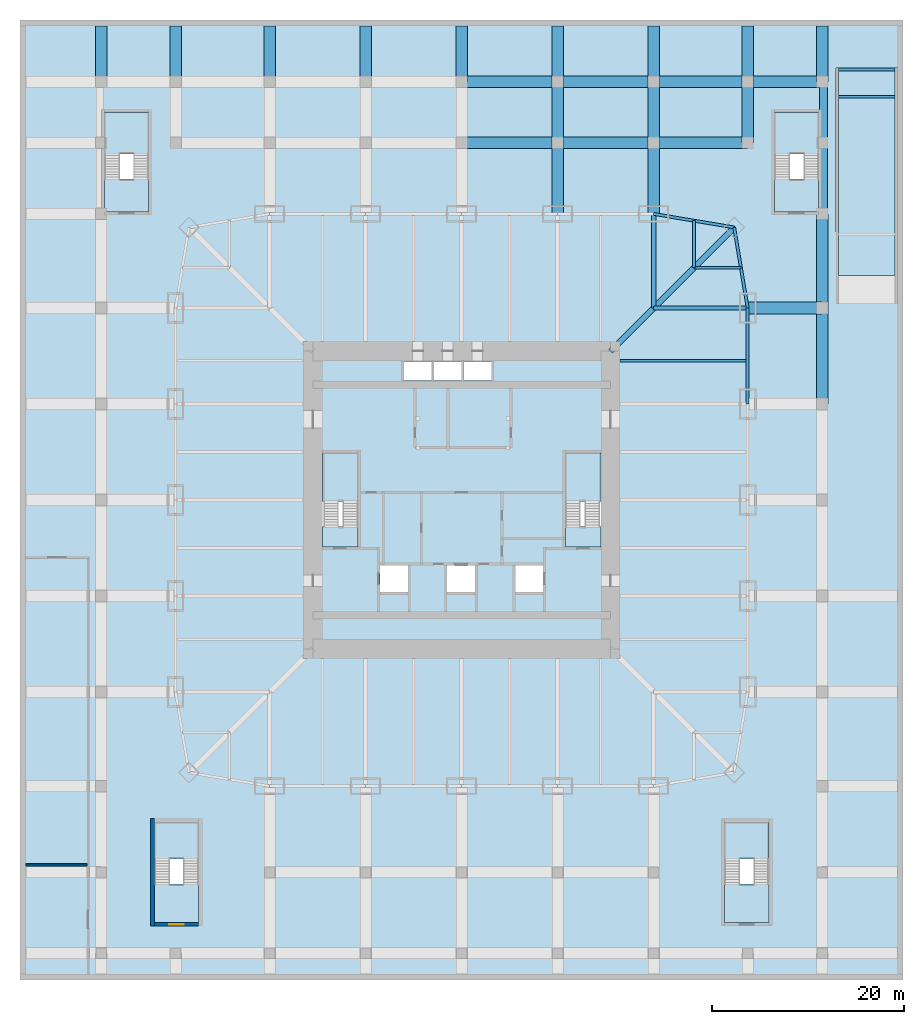
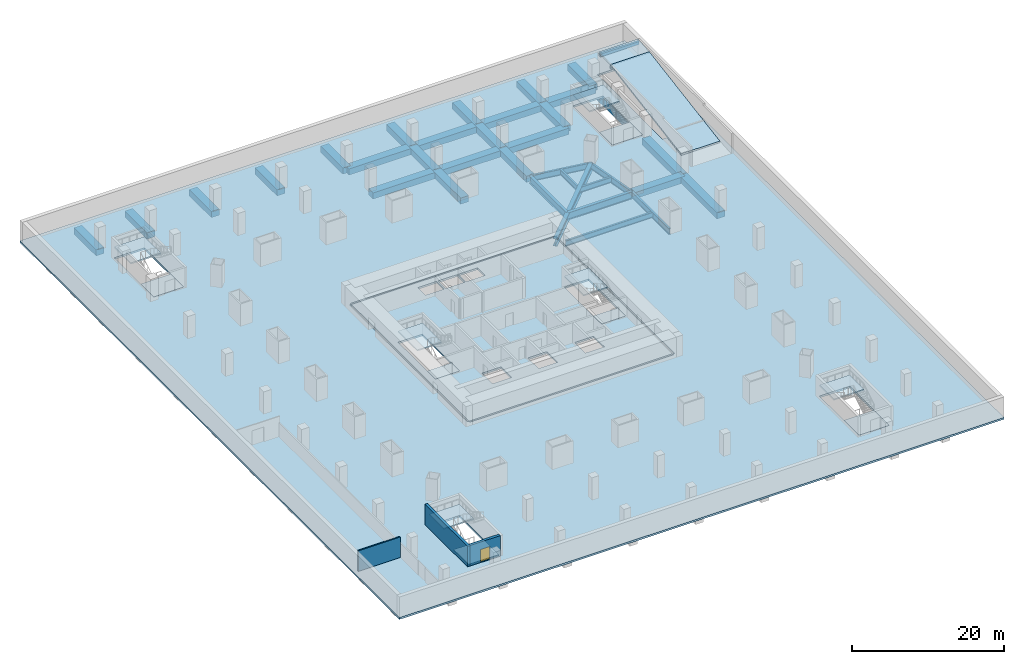
# One storey, part 3 of 11: 37 beams, 16 slabs, 3 walls, 1 door, 1 opening, 7 elements without a shape of their own.
"""IFC4 building model written with IfcOpenShell, lengths in metres."""

import ifcopenshell
import ifcopenshell.guid

model = None  # the IFC model being written
_history = None  # IfcOwnerHistory: only IFC2X3 demands one
_inside = {}  # id of a spatial element -> (the spatial element, [elements in it])
_under = {}  # id of a project, library or spatial element -> (it, [spatial elements below it])
_declared = {}  # id of a project -> (the project, [libraries it declares])
_typed = {}  # id of a type object -> (the type object, [elements of that type])
_made_of = {}  # id of a material, layer set ... -> (it, [elements and type objects made of it])


def new_model(schema):
    """Start an empty IFC model of exactly this schema.

    Asked for "IFC4X3", IfcOpenShell would pick the latest addendum, in which some entities
    have other attributes; the version numbers below select the first issue.
    IFC2X3 requires an IfcOwnerHistory on every rooted entity: one is made here for all.
    """
    global model, _history
    if schema == "IFC4X3":
        model = ifcopenshell.file(schema_version=(4, 3, 0, 0))
    else:
        model = ifcopenshell.file(schema=schema)
    _inside.clear()
    _under.clear()
    _declared.clear()
    _typed.clear()
    _made_of.clear()
    _history = None
    if model.schema == "IFC2X3":
        org = make("IfcOrganization", Name="unknown")
        user = make(
            "IfcPersonAndOrganization",
            ThePerson=make("IfcPerson", FamilyName="unknown"),
            TheOrganization=org,
        )
        app = make(
            "IfcApplication",
            ApplicationDeveloper=org,
            Version="unknown",
            ApplicationFullName="unknown",
            ApplicationIdentifier="unknown",
        )
        _history = make(
            "IfcOwnerHistory",
            OwningUser=user,
            OwningApplication=app,
            ChangeAction="ADDED",
            CreationDate=0,
        )
    return model


def make(cls, **values):
    """One entity of the class cls with the attributes given. An attribute that is None is left unset."""
    return model.create_entity(
        cls, **{name: value for name, value in values.items() if value is not None}
    )


def rooted(cls, **values):
    """An entity with a GlobalId (a new one), such as an element, a storey or a relation."""
    return make(cls, GlobalId=ifcopenshell.guid.new(), OwnerHistory=_history, **values)


def si_unit(unit_type, name, prefix=None):
    """IfcSIUnit, for example si_unit("LENGTHUNIT", "METRE", prefix="MILLI")."""
    return make("IfcSIUnit", UnitType=unit_type, Prefix=prefix, Name=name)


def assignment(units):
    """IfcUnitAssignment: the units of a project."""
    return None if units is None else make("IfcUnitAssignment", Units=units)


def point(xyz):
    """IfcCartesianPoint."""
    return None if xyz is None else make("IfcCartesianPoint", Coordinates=xyz)


def direction(xyz):
    """IfcDirection."""
    return None if xyz is None else make("IfcDirection", DirectionRatios=xyz)


def frame(location, z_axis=None, x_axis=None):
    """IfcAxis2Placement3D, a coordinate frame: its origin and axes. An axis left out is left unset."""
    return make(
        "IfcAxis2Placement3D",
        Location=point(location),
        Axis=direction(z_axis),
        RefDirection=direction(x_axis),
    )


def frame_2d(location, x_axis=None):
    """IfcAxis2Placement2D, a coordinate frame in the plane: its origin and x axis."""
    return make(
        "IfcAxis2Placement2D", Location=point(location), RefDirection=direction(x_axis)
    )


def origin():
    """The frame at (0, 0, 0) with its axes left unset."""
    return frame((0.0, 0.0, 0.0))


def origin_2d():
    """The frame at (0, 0) in the plane with its x axis left unset."""
    return frame_2d((0.0, 0.0))


def place(relative_to, where):
    """IfcLocalPlacement: puts the frame where relative to a parent placement (None: the world)."""
    return make(
        "IfcLocalPlacement", PlacementRelTo=relative_to, RelativePlacement=where
    )


def context(
    kind, dimensions, precision=None, world=None, true_north=None, identifier=None
):
    """IfcGeometricRepresentationContext, for example the 3D "Model" context."""
    return make(
        "IfcGeometricRepresentationContext",
        ContextIdentifier=identifier,
        ContextType=kind,
        CoordinateSpaceDimension=dimensions,
        Precision=precision,
        WorldCoordinateSystem=world,
        TrueNorth=true_north,
    )


def subcontext(parent, identifier, kind, view, scale=None):
    """IfcGeometricRepresentationSubContext, for example "Body" below "Model"."""
    return make(
        "IfcGeometricRepresentationSubContext",
        ContextIdentifier=identifier,
        ContextType=kind,
        ParentContext=parent,
        TargetScale=scale,
        TargetView=view,
    )


def project(units=None, contexts=None):
    """IfcProject with its units and contexts."""
    return rooted(
        "IfcProject",
        Name="project",
        RepresentationContexts=contexts,
        UnitsInContext=assignment(units),
    )


def spatial(cls, under=None, at=None, **own):
    """A site, building, storey or space (cls), placed at a placement, below another one or the project."""
    s = rooted(cls, ObjectPlacement=at, **own)
    if under is not None:
        _under.setdefault(under.id(), (under, []))[1].append(s)
    return s


def polyline(points):
    """IfcPolyline through the points."""
    return make("IfcPolyline", Points=[point(p) for p in points])


def profile(cls, at=None, kind="AREA", **sizes):
    """A parametric profile (cls). Its sizes go by their IFC names, for example OverallWidth=200.0."""
    return make(cls, ProfileType=kind, Position=at, **sizes)


def rectangle(**sizes):
    """IfcRectangleProfileDef."""
    return profile("IfcRectangleProfileDef", **sizes)


def i_section(**sizes):
    """IfcIShapeProfileDef."""
    return profile("IfcIShapeProfileDef", **sizes)


def outline(outer, holes=None, kind="AREA"):
    """IfcArbitraryClosedProfileDef: a profile drawn as a closed curve; with holes, ...WithVoids."""
    if holes is None:
        return make("IfcArbitraryClosedProfileDef", ProfileType=kind, OuterCurve=outer)
    return make(
        "IfcArbitraryProfileDefWithVoids",
        ProfileType=kind,
        OuterCurve=outer,
        InnerCurves=holes,
    )


def extrude(swept, where, along, depth):
    """IfcExtrudedAreaSolid: the profile swept, set in the frame where, extruded along a direction by depth."""
    return make(
        "IfcExtrudedAreaSolid",
        SweptArea=swept,
        Position=where,
        ExtrudedDirection=direction(along),
        Depth=depth,
    )


def shape(context_of_items, identifier, shape_type, items):
    """IfcShapeRepresentation: the items that make up one representation, for example the "Body"."""
    return make(
        "IfcShapeRepresentation",
        ContextOfItems=context_of_items,
        RepresentationIdentifier=identifier,
        RepresentationType=shape_type,
        Items=items,
    )


def material(Name=None, Category=None):
    """IfcMaterial."""
    return make("IfcMaterial", Name=Name, Category=Category)


def layer(
    of_material, thickness, ventilated=None, Name=None, Category=None, Priority=None
):
    """IfcMaterialLayer: one layer of a wall or slab, of a material (None: an air gap)."""
    return make(
        "IfcMaterialLayer",
        Material=of_material,
        LayerThickness=thickness,
        IsVentilated=ventilated,
        Name=Name,
        Category=Category,
        Priority=Priority,
    )


def layer_set(layers, Name=None):
    """IfcMaterialLayerSet."""
    return make("IfcMaterialLayerSet", MaterialLayers=layers, LayerSetName=Name)


def material_profile(
    of_material, cross_section, Name=None, Category=None, Priority=None
):
    """IfcMaterialProfile: a cross section and its material."""
    return make(
        "IfcMaterialProfile",
        Name=Name,
        Material=of_material,
        Profile=cross_section,
        Priority=Priority,
        Category=Category,
    )


def profile_set(profiles, Name=None, composite=None):
    """IfcMaterialProfileSet."""
    return make(
        "IfcMaterialProfileSet",
        Name=Name,
        MaterialProfiles=profiles,
        CompositeProfile=composite,
    )


def made_of(thing, what):
    """Note that an element or type object is made of a material, layer set ...; save() writes the relation."""
    if what is not None:
        _made_of.setdefault(what.id(), (what, []))[1].append(thing)
    return thing


def type_object(cls, material=None, **own):
    """A type object (cls), such as IfcWallType, which elements share."""
    return made_of(rooted(cls, **own), material)


def element(
    cls,
    number,
    at=None,
    inside=None,
    cuts=None,
    type_object=None,
    material=None,
    context=None,
    identifier="Body",
    shape_type=None,
    held_by="IfcProductDefinitionShape",
    body=None,
    shapes=None,
    **own,
):
    """One element of the class cls, such as IfcWall. Its Tag is "e" and its number.

    at: its placement. inside: the storey or other place that contains it. cuts: it is an
    opening in that element (IfcRelVoidsElement). A single representation is given by context,
    identifier, shape_type and body (its items); several are given by shapes. held_by: the class
    of the entity that holds the representations. save() writes the other relations.
    """
    e = rooted(cls, Tag="e%d" % number, ObjectPlacement=at, **own)
    if body is not None:
        shapes = [shape(context, identifier, shape_type, body)]
    if shapes is not None:
        e.Representation = make(held_by, Representations=shapes)
    if inside is not None:
        _inside.setdefault(inside.id(), (inside, []))[1].append(e)
    if cuts is not None:
        rooted(
            "IfcRelVoidsElement", RelatingBuildingElement=cuts, RelatedOpeningElement=e
        )
    if type_object is not None:
        _typed.setdefault(type_object.id(), (type_object, []))[1].append(e)
    return made_of(e, material)


def fill(opening, filler):
    """IfcRelFillsElement: the door or window that sits in an opening."""
    return rooted(
        "IfcRelFillsElement",
        RelatingOpeningElement=opening,
        RelatedBuildingElement=filler,
    )


def aggregate(whole, parts):
    """IfcRelAggregates: a whole, such as a stair, and the parts it consists of."""
    return rooted("IfcRelAggregates", RelatingObject=whole, RelatedObjects=parts)


def save(model, path):
    """Write the relations noted so far, then the file.

    IfcRelAggregates (storeys below a building ...), IfcRelContainedInSpatialStructure (elements
    in a storey), IfcRelDefinesByType, IfcRelAssociatesMaterial and IfcRelDeclares: one each for
    every whole, place, type object, material and project.
    """
    for whole, parts in _under.values():
        aggregate(whole, parts)
    for where, things in _inside.values():
        rooted(
            "IfcRelContainedInSpatialStructure",
            RelatedElements=things,
            RelatingStructure=where,
        )
    for kind, things in _typed.values():
        rooted("IfcRelDefinesByType", RelatedObjects=things, RelatingType=kind)
    for what, things in _made_of.values():
        rooted("IfcRelAssociatesMaterial", RelatedObjects=things, RelatingMaterial=what)
    for by, libraries in _declared.values():
        rooted("IfcRelDeclares", RelatingContext=by, RelatedDefinitions=libraries)
    model.write(path)


model = new_model("IFC4")

# Units and contexts
model_context = context("Model", 3, precision=1e-05, world=origin(), true_north=direction((0.0, 1.0)))
body_context = subcontext(model_context, "Body", "Model", "MODEL_VIEW")
ifc_project = project(units=[si_unit("LENGTHUNIT", "METRE"), si_unit("AREAUNIT", "SQUARE_METRE"), si_unit("VOLUMEUNIT", "CUBIC_METRE"), si_unit("PLANEANGLEUNIT", "RADIAN"), si_unit("MASSUNIT", "GRAM", prefix="KILO")], contexts=[model_context])

# Site, building, storey
site_placement = place(None, origin())
site = spatial("IfcSite", under=ifc_project, at=site_placement, CompositionType="ELEMENT")
building_placement = place(site_placement, origin())
building = spatial("IfcBuilding", under=site, at=building_placement, Name="Khuree Lantern Residences", CompositionType="ELEMENT")
storey_placement = place(building_placement, frame((0.0, 0.0, -9.0)))
storey = spatial("IfcBuildingStorey", under=building, at=storey_placement, Name="B2", CompositionType="ELEMENT", Elevation=-9.0)

# Beams
ifc_material_1 = material(Name="Steel S355", Category="steel")
ifc_material_profile_1 = material_profile(ifc_material_1, i_section(OverallWidth=0.300048828125, OverallDepth=0.89990234375, WebThickness=0.0185546875, FlangeThickness=0.034912109375, FilletRadius=0.030029296875, at=origin_2d()), Name="HE 900 B")
ifc_profile_set_1 = profile_set([ifc_material_profile_1], Name="Steel S355")
beam_type_1 = type_object("IfcBeamType", Name="B-B2 SECONDARY BEAM HE 900 B", PredefinedType="BEAM", material=ifc_profile_set_1)
for number, where, z_axis, x_axis, name in (
    (1, (24.197021484375, 29.09716796875, -0.75), (0.0, -1.0, 0.0), (1.0, 0.0, 0.0), "Secondary beam N5"),
    (2, (29.09716796875, 24.197021484375, -0.75), (-1.0, 0.0, 0.0), (0.0, -1.0, 0.0), "Secondary beam E1"),
):
    element("IfcBeam", number, at=place(storey_placement, frame(where, z_axis=z_axis, x_axis=x_axis)), inside=storey, type_object=beam_type_1, Name=name, PredefinedType="BEAM", context=body_context, shape_type="SweptSolid", body=[
        extrude(i_section(OverallWidth=0.300048828125, OverallDepth=0.89990234375, WebThickness=0.0185546875, FlangeThickness=0.034912109375, FilletRadius=0.030029296875, at=origin_2d()), origin(), (0.0, 0.0, 1.0), 4.900146484375),
    ])
beam_1_placement = place(storey_placement, frame((29.800048828125, 14.5, -0.75), z_axis=(-1.0, 0.0, 0.0), x_axis=(0.0, -1.0, 0.0)))
element("IfcBeam", 3, at=beam_1_placement, inside=storey, type_object=beam_type_1, Name="Secondary beam E2", PredefinedType="BEAM", context=body_context, shape_type="SweptSolid", body=[
    extrude(i_section(OverallWidth=0.300048828125, OverallDepth=0.89990234375, WebThickness=0.0185546875, FlangeThickness=0.034912109375, FilletRadius=0.030029296875, at=origin_2d()), origin(), (0.0, 0.0, 1.0), 13.300048828125),
])
ifc_material_profile_2 = material_profile(ifc_material_1, i_section(OverallWidth=0.300048828125, OverallDepth=1.0, WebThickness=0.01904296875, FlangeThickness=0.035888671875, FilletRadius=0.030029296875, at=origin_2d()), Name="HE 1000 B")
ifc_profile_set_2 = profile_set([ifc_material_profile_2], Name="Steel S355")
beam_type_2 = type_object("IfcBeamType", Name="E-B2 SPANDREL BEAM HE 1000 B", PredefinedType="SPANDREL", material=ifc_profile_set_2)
for number, where, z_axis, x_axis, name in (
    (4, (20.0, 29.800048828125, -0.800048828125), (0.986260251158, -0.165199022349, 0.0), (0.165199022349, 0.986260251158, 0.0), "Spandrel beam N5"),
    (5, (28.39404296875, 28.39404296875, -0.800048828125), (0.165199022349, -0.986260251158, 0.0), (0.986260251158, 0.165199022349, 0.0), "Spandrel beam E1"),
):
    element("IfcBeam", number, at=place(storey_placement, frame(where, z_axis=z_axis, x_axis=x_axis)), inside=storey, type_object=beam_type_2, Name=name, PredefinedType="SPANDREL", context=body_context, shape_type="SweptSolid", body=[
        extrude(i_section(OverallWidth=0.300048828125, OverallDepth=1.0, WebThickness=0.01904296875, FlangeThickness=0.035888671875, FilletRadius=0.030029296875, at=origin_2d()), origin(), (0.0, 0.0, 1.0), 8.510986328125),
    ])
beam_2_placement = place(storey_placement, frame((29.800048828125, 20.0, -0.800048828125), z_axis=(0.0, -1.0, 0.0), x_axis=(1.0, 0.0, 0.0)))
element("IfcBeam", 6, at=beam_2_placement, inside=storey, type_object=beam_type_2, Name="Spandrel beam E2", PredefinedType="SPANDREL", context=body_context, shape_type="SweptSolid", body=[
    extrude(i_section(OverallWidth=0.300048828125, OverallDepth=1.0, WebThickness=0.01904296875, FlangeThickness=0.035888671875, FilletRadius=0.030029296875, at=origin_2d()), origin(), (0.0, 0.0, 1.0), 10.0),
])
ifc_material_profile_3 = material_profile(ifc_material_1, i_section(OverallWidth=0.449951171875, OverallDepth=1.199951171875, WebThickness=0.02490234375, FlangeThickness=0.044921875, at=origin_2d()), Name="WELDED I 1200X450X25X45")
ifc_profile_set_3 = profile_set([ifc_material_profile_3], Name="Steel S355")
beam_type_3 = type_object("IfcBeamType", Name="G-B2 GIRDER WELDED I 1200X450X25X45", PredefinedType="BEAM", material=ifc_profile_set_3)
for number, where, z_axis, x_axis, name in (
    (7, (20.0, 29.800048828125, -0.89990234375), (0.0, -1.0, 0.0), (1.0, 0.0, 0.0), "Girder N5"),
    (8, (29.800048828125, 20.0, -0.89990234375), (-1.0, 0.0, 0.0), (0.0, -1.0, 0.0), "Girder E1"),
):
    element("IfcBeam", number, at=place(storey_placement, frame(where, z_axis=z_axis, x_axis=x_axis)), inside=storey, type_object=beam_type_3, Name=name, PredefinedType="BEAM", context=body_context, shape_type="SweptSolid", body=[
        extrude(i_section(OverallWidth=0.449951171875, OverallDepth=1.199951171875, WebThickness=0.02490234375, FlangeThickness=0.044921875, at=origin_2d()), origin(), (0.0, 0.0, 1.0), 9.800048828125),
    ])
ifc_material_profile_4 = material_profile(ifc_material_1, i_section(OverallWidth=0.60009765625, OverallDepth=1.199951171875, WebThickness=0.030029296875, FlangeThickness=0.06005859375, at=origin_2d()), Name="WELDED I 1200X600X30X60")
ifc_profile_set_4 = profile_set([ifc_material_profile_4], Name="Steel S355")
beam_type_4 = type_object("IfcBeamType", Name="GD-B2 CORNER GIRDER WELDED I 1200X600X30X60", PredefinedType="BEAM", material=ifc_profile_set_4)
beam_3_placement = place(storey_placement, frame((28.39404296875, 28.39404296875, -0.89990234375), z_axis=(-0.707106781187, -0.707106781187, 0.0), x_axis=(0.707106781187, -0.707106781187, 0.0)))
element("IfcBeam", 9, at=beam_3_placement, inside=storey, type_object=beam_type_4, Name="Corner girder NE", PredefinedType="BEAM", context=body_context, shape_type="SweptSolid", body=[
    extrude(i_section(OverallWidth=0.60009765625, OverallDepth=1.199951171875, WebThickness=0.030029296875, FlangeThickness=0.06005859375, at=origin_2d()), origin(), (0.0, 0.0, 1.0), 18.23486328125),
])
ifc_material_2 = material(Name="Concrete C40/50", Category="concrete")
ifc_material_profile_5 = material_profile(ifc_material_2, rectangle(XDim=0.300048828125, YDim=0.449951171875, at=origin_2d()), Name="RC 300X450")
ifc_profile_set_5 = profile_set([ifc_material_profile_5], Name="Concrete C40/50")
beam_type_5 = type_object("IfcBeamType", Name="RAMP BEAM RMB1 RC 300X450", PredefinedType="BEAM", material=ifc_profile_set_5)
for number, where, z_axis, x_axis, name in (
    (10, (39.25, 42.0, 2.875), (1.0, 0.0, 0.0), (0.0, 1.0, 0.0), "Car park ramp, B1 to B2 joint beam"),
    (11, (39.25, 44.85009765625, 3.125), (1.0, 0.0, 0.0), (0.0, 1.0, 0.0), "Car park ramp, B1 to B2 head beam"),
):
    element("IfcBeam", number, at=place(storey_placement, frame(where, z_axis=z_axis, x_axis=x_axis)), inside=storey, type_object=beam_type_5, Name=name, PredefinedType="BEAM", context=body_context, shape_type="SweptSolid", body=[
        extrude(rectangle(XDim=0.300048828125, YDim=0.449951171875, at=origin_2d()), origin(), (0.0, 0.0, 1.0), 5.89990234375),
    ])
ifc_material_profile_6 = material_profile(ifc_material_2, rectangle(XDim=1.199951171875, YDim=1.0, at=origin_2d()), Name="RC 1200X1000")
ifc_profile_set_6 = profile_set([ifc_material_profile_6], Name="Concrete C40/50")
beam_type_6 = type_object("IfcBeamType", Name="RB1 BASEMENT BEAM RC 1200X1000", PredefinedType="BEAM", material=ifc_profile_set_6)
beam_4_placement = place(storey_placement, frame((29.800048828125, 20.0, -0.800048828125), z_axis=(1.0, 0.0, 0.0), x_axis=(0.0, 1.0, 0.0)))
element("IfcBeam", 12, at=beam_4_placement, inside=storey, type_object=beam_type_6, Name="Basement beam RB-35", PredefinedType="BEAM", context=body_context, shape_type="SweptSolid", body=[
    extrude(rectangle(XDim=1.199951171875, YDim=1.0, at=origin_2d()), origin(), (0.0, 0.0, 1.0), 7.75),
])
for number, where, z_axis, x_axis, name in (
    (13, (0.0, 37.199951171875, -0.800048828125), (1.0, 0.0, 0.0), (0.0, 1.0, 0.0), "Basement beam RB-41"),
    (14, (10.0, 37.199951171875, -0.800048828125), (1.0, 0.0, 0.0), (0.0, 1.0, 0.0), "Basement beam RB-42"),
):
    element("IfcBeam", number, at=place(storey_placement, frame(where, z_axis=z_axis, x_axis=x_axis)), inside=storey, type_object=beam_type_6, Name=name, PredefinedType="BEAM", context=body_context, shape_type="SweptSolid", body=[
        extrude(rectangle(XDim=1.199951171875, YDim=1.0, at=origin_2d()), origin(), (0.0, 0.0, 1.0), 10.0),
    ])
beam_5_placement = place(storey_placement, frame((20.0, 37.199951171875, -0.800048828125), z_axis=(1.0, 0.0, 0.0), x_axis=(0.0, 1.0, 0.0)))
element("IfcBeam", 15, at=beam_5_placement, inside=storey, type_object=beam_type_6, Name="Basement beam RB-43", PredefinedType="BEAM", context=body_context, shape_type="SweptSolid", body=[
    extrude(rectangle(XDim=1.199951171875, YDim=1.0, at=origin_2d()), origin(), (0.0, 0.0, 1.0), 9.800048828125),
])
for number, where, z_axis, x_axis, name in (
    (16, (0.0, 43.550048828125, -0.800048828125), (1.0, 0.0, 0.0), (0.0, 1.0, 0.0), "Basement beam RB-49"),
    (17, (10.0, 43.550048828125, -0.800048828125), (1.0, 0.0, 0.0), (0.0, 1.0, 0.0), "Basement beam RB-50"),
):
    element("IfcBeam", number, at=place(storey_placement, frame(where, z_axis=z_axis, x_axis=x_axis)), inside=storey, type_object=beam_type_6, Name=name, PredefinedType="BEAM", context=body_context, shape_type="SweptSolid", body=[
        extrude(rectangle(XDim=1.199951171875, YDim=1.0, at=origin_2d()), origin(), (0.0, 0.0, 1.0), 10.0),
    ])
beam_6_placement = place(storey_placement, frame((20.0, 43.550048828125, -0.800048828125), z_axis=(1.0, 0.0, 0.0), x_axis=(0.0, 1.0, 0.0)))
element("IfcBeam", 18, at=beam_6_placement, inside=storey, type_object=beam_type_6, Name="Basement beam RB-51", PredefinedType="BEAM", context=body_context, shape_type="SweptSolid", body=[
    extrude(rectangle(XDim=1.199951171875, YDim=1.0, at=origin_2d()), origin(), (0.0, 0.0, 1.0), 9.800048828125),
])
beam_7_placement = place(storey_placement, frame((29.800048828125, 43.550048828125, -0.800048828125), z_axis=(1.0, 0.0, 0.0), x_axis=(0.0, 1.0, 0.0)))
element("IfcBeam", 19, at=beam_7_placement, inside=storey, type_object=beam_type_6, Name="Basement beam RB-52", PredefinedType="BEAM", context=body_context, shape_type="SweptSolid", body=[
    extrude(rectangle(XDim=1.199951171875, YDim=1.0, at=origin_2d()), origin(), (0.0, 0.0, 1.0), 7.75),
])
for number, where, z_axis, x_axis, name in (
    (20, (-37.550048828125, 43.550048828125, -0.800048828125), (0.0, 1.0, 0.0), (-1.0, 0.0, 0.0), "Basement beam RB-64"),
    (21, (-29.800048828125, 43.550048828125, -0.800048828125), (0.0, 1.0, 0.0), (-1.0, 0.0, 0.0), "Basement beam RB-67"),
    (22, (-20.0, 43.550048828125, -0.800048828125), (0.0, 1.0, 0.0), (-1.0, 0.0, 0.0), "Basement beam RB-73"),
    (23, (-10.0, 43.550048828125, -0.800048828125), (0.0, 1.0, 0.0), (-1.0, 0.0, 0.0), "Basement beam RB-79"),
    (24, (0.0, 43.550048828125, -0.800048828125), (0.0, 1.0, 0.0), (-1.0, 0.0, 0.0), "Basement beam RB-85"),
):
    element("IfcBeam", number, at=place(storey_placement, frame(where, z_axis=z_axis, x_axis=x_axis)), inside=storey, type_object=beam_type_6, Name=name, PredefinedType="BEAM", context=body_context, shape_type="SweptSolid", body=[
        extrude(rectangle(XDim=1.199951171875, YDim=1.0, at=origin_2d()), origin(), (0.0, 0.0, 1.0), 5.849853515625),
    ])
beam_8_placement = place(storey_placement, frame((10.0, 29.800048828125, -0.800048828125), z_axis=(0.0, 1.0, 0.0), x_axis=(-1.0, 0.0, 0.0)))
element("IfcBeam", 25, at=beam_8_placement, inside=storey, type_object=beam_type_6, Name="Basement beam RB-89", PredefinedType="BEAM", context=body_context, shape_type="SweptSolid", body=[
    extrude(rectangle(XDim=1.199951171875, YDim=1.0, at=origin_2d()), origin(), (0.0, 0.0, 1.0), 7.39990234375),
])
beam_9_placement = place(storey_placement, frame((10.0, 37.199951171875, -0.800048828125), z_axis=(0.0, 1.0, 0.0), x_axis=(-1.0, 0.0, 0.0)))
element("IfcBeam", 26, at=beam_9_placement, inside=storey, type_object=beam_type_6, Name="Basement beam RB-90", PredefinedType="BEAM", context=body_context, shape_type="SweptSolid", body=[
    extrude(rectangle(XDim=1.199951171875, YDim=1.0, at=origin_2d()), origin(), (0.0, 0.0, 1.0), 6.35009765625),
])
beam_10_placement = place(storey_placement, frame((10.0, 43.550048828125, -0.800048828125), z_axis=(0.0, 1.0, 0.0), x_axis=(-1.0, 0.0, 0.0)))
element("IfcBeam", 27, at=beam_10_placement, inside=storey, type_object=beam_type_6, Name="Basement beam RB-91", PredefinedType="BEAM", context=body_context, shape_type="SweptSolid", body=[
    extrude(rectangle(XDim=1.199951171875, YDim=1.0, at=origin_2d()), origin(), (0.0, 0.0, 1.0), 5.849853515625),
])
beam_11_placement = place(storey_placement, frame((20.0, 29.800048828125, -0.800048828125), z_axis=(0.0, 1.0, 0.0), x_axis=(-1.0, 0.0, 0.0)))
element("IfcBeam", 28, at=beam_11_placement, inside=storey, type_object=beam_type_6, Name="Basement beam RB-95", PredefinedType="BEAM", context=body_context, shape_type="SweptSolid", body=[
    extrude(rectangle(XDim=1.199951171875, YDim=1.0, at=origin_2d()), origin(), (0.0, 0.0, 1.0), 7.39990234375),
])
beam_12_placement = place(storey_placement, frame((20.0, 37.199951171875, -0.800048828125), z_axis=(0.0, 1.0, 0.0), x_axis=(-1.0, 0.0, 0.0)))
element("IfcBeam", 29, at=beam_12_placement, inside=storey, type_object=beam_type_6, Name="Basement beam RB-96", PredefinedType="BEAM", context=body_context, shape_type="SweptSolid", body=[
    extrude(rectangle(XDim=1.199951171875, YDim=1.0, at=origin_2d()), origin(), (0.0, 0.0, 1.0), 6.35009765625),
])
beam_13_placement = place(storey_placement, frame((20.0, 43.550048828125, -0.800048828125), z_axis=(0.0, 1.0, 0.0), x_axis=(-1.0, 0.0, 0.0)))
element("IfcBeam", 30, at=beam_13_placement, inside=storey, type_object=beam_type_6, Name="Basement beam RB-97", PredefinedType="BEAM", context=body_context, shape_type="SweptSolid", body=[
    extrude(rectangle(XDim=1.199951171875, YDim=1.0, at=origin_2d()), origin(), (0.0, 0.0, 1.0), 5.849853515625),
])
beam_14_placement = place(storey_placement, frame((29.800048828125, 37.199951171875, -0.800048828125), z_axis=(0.0, 1.0, 0.0), x_axis=(-1.0, 0.0, 0.0)))
element("IfcBeam", 31, at=beam_14_placement, inside=storey, type_object=beam_type_6, Name="Basement beam RB-99", PredefinedType="BEAM", context=body_context, shape_type="SweptSolid", body=[
    extrude(rectangle(XDim=1.199951171875, YDim=1.0, at=origin_2d()), origin(), (0.0, 0.0, 1.0), 6.35009765625),
])
beam_15_placement = place(storey_placement, frame((29.800048828125, 43.550048828125, -0.800048828125), z_axis=(0.0, 1.0, 0.0), x_axis=(-1.0, 0.0, 0.0)))
element("IfcBeam", 32, at=beam_15_placement, inside=storey, type_object=beam_type_6, Name="Basement beam RB-100", PredefinedType="BEAM", context=body_context, shape_type="SweptSolid", body=[
    extrude(rectangle(XDim=1.199951171875, YDim=1.0, at=origin_2d()), origin(), (0.0, 0.0, 1.0), 5.849853515625),
])
beam_16_placement = place(storey_placement, frame((37.550048828125, 10.0, -0.800048828125), z_axis=(0.0, 1.0, 0.0), x_axis=(-1.0, 0.0, 0.0)))
element("IfcBeam", 33, at=beam_16_placement, inside=storey, type_object=beam_type_6, Name="Basement beam RB-108", PredefinedType="BEAM", context=body_context, shape_type="SweptSolid", body=[
    extrude(rectangle(XDim=1.199951171875, YDim=1.0, at=origin_2d()), origin(), (0.0, 0.0, 1.0), 10.0),
])
beam_17_placement = place(storey_placement, frame((37.550048828125, 20.0, -0.800048828125), z_axis=(0.0, 1.0, 0.0), x_axis=(-1.0, 0.0, 0.0)))
element("IfcBeam", 34, at=beam_17_placement, inside=storey, type_object=beam_type_6, Name="Basement beam RB-109", PredefinedType="BEAM", context=body_context, shape_type="SweptSolid", body=[
    extrude(rectangle(XDim=1.199951171875, YDim=1.0, at=origin_2d()), origin(), (0.0, 0.0, 1.0), 9.800048828125),
])
beam_18_placement = place(storey_placement, frame((37.550048828125, 43.550048828125, -0.800048828125), z_axis=(0.0, 1.0, 0.0), x_axis=(-1.0, 0.0, 0.0)))
element("IfcBeam", 35, at=beam_18_placement, inside=storey, type_object=beam_type_6, Name="Basement beam RB-112", PredefinedType="BEAM", context=body_context, shape_type="SweptSolid", body=[
    extrude(rectangle(XDim=1.199951171875, YDim=1.0, at=origin_2d()), origin(), (0.0, 0.0, 1.0), 5.849853515625),
])
ifc_material_profile_7 = material_profile(ifc_material_2, rectangle(XDim=0.800048828125, YDim=1.5, at=origin_2d()), Name="RC 800X1500")
ifc_profile_set_7 = profile_set([ifc_material_profile_7], Name="Concrete C40/50")
beam_type_7 = type_object("IfcBeamType", Name="RB6 BASEMENT BEAM AT STAIR RC 800X1500", PredefinedType="BEAM", material=ifc_profile_set_7)
beam_19_placement = place(storey_placement, frame((37.699951171875, 29.800048828125, -1.050048828125), z_axis=(0.0, 1.0, 0.0), x_axis=(-1.0, 0.0, 0.0)))
element("IfcBeam", 36, at=beam_19_placement, inside=storey, type_object=beam_type_7, Name="Basement beam at stair RB-110", PredefinedType="BEAM", context=body_context, shape_type="SweptSolid", body=[
    extrude(rectangle(XDim=0.800048828125, YDim=1.5, at=origin_2d()), origin(), (0.0, 0.0, 1.0), 7.39990234375),
])
beam_20_placement = place(storey_placement, frame((37.699951171875, 37.199951171875, -1.050048828125), z_axis=(0.0, 1.0, 0.0), x_axis=(-1.0, 0.0, 0.0)))
element("IfcBeam", 37, at=beam_20_placement, inside=storey, type_object=beam_type_7, Name="Basement beam at stair RB-111", PredefinedType="BEAM", context=body_context, shape_type="SweptSolid", body=[
    extrude(rectangle(XDim=0.800048828125, YDim=1.5, at=origin_2d()), origin(), (0.0, 0.0, 1.0), 6.35009765625),
])

# Slabs
ifc_material_3 = material(Name="Concrete C35/45", Category="concrete")
ifc_layer_1 = layer(ifc_material_3, 0.300048828125)
ifc_layer_set_1 = layer_set([ifc_layer_1], Name="CFL300 CORE FLOOR SLAB 300")
slab_type_1 = type_object("IfcSlabType", Name="CFL300 CORE FLOOR SLAB 300", PredefinedType="FLOOR", material=ifc_layer_set_1)
slab_1_placement = place(storey_placement, frame((0.0, 0.0, -0.300048828125)))
element("IfcSlab", 38, at=slab_1_placement, inside=storey, type_object=slab_type_1, Name="Core floor B2", PredefinedType="FLOOR", context=body_context, shape_type="SweptSolid", body=[
    extrude(outline(polyline([(-15.5, -15.5), (-15.5, 15.5), (15.5, 15.5), (15.5, -15.5), (-15.5, -15.5)]), holes=[polyline([(14.5, 4.89990234375), (10.800048828125, 4.89990234375), (10.800048828125, -4.89990234375), (14.5, -4.89990234375), (14.5, 4.89990234375)]), polyline([(8.5, -6.800048828125), (5.60009765625, -6.800048828125), (5.60009765625, -9.60009765625), (8.5, -9.60009765625), (8.5, -6.800048828125)]), polyline([(3.10009765625, 14.449951171875), (0.199951171875, 14.449951171875), (0.199951171875, 12.449951171875), (3.10009765625, 12.449951171875), (3.10009765625, 14.449951171875)]), polyline([(1.39990234375, -6.800048828125), (-1.5, -6.800048828125), (-1.5, -9.60009765625), (1.39990234375, -9.60009765625), (1.39990234375, -6.800048828125)]), polyline([(0.0, 14.449951171875), (-2.89990234375, 14.449951171875), (-2.89990234375, 12.449951171875), (0.0, 12.449951171875), (0.0, 14.449951171875)]), polyline([(-3.10009765625, 14.449951171875), (-6.0, 14.449951171875), (-6.0, 12.449951171875), (-3.10009765625, 12.449951171875), (-3.10009765625, 14.449951171875)]), polyline([(-5.60009765625, -6.800048828125), (-8.5, -6.800048828125), (-8.5, -9.60009765625), (-5.60009765625, -9.60009765625), (-5.60009765625, -6.800048828125)]), polyline([(-14.5, 4.89990234375), (-14.5, -4.89990234375), (-10.800048828125, -4.89990234375), (-10.800048828125, 4.89990234375), (-14.5, 4.89990234375)])]), origin(), (0.0, 0.0, 1.0), 0.300048828125),
])
ifc_layer_2 = layer(ifc_material_3, 0.300048828125)
ifc_layer_set_2 = layer_set([ifc_layer_2], Name="FS300 FLOOR SLAB 300")
slab_type_2 = type_object("IfcSlabType", Name="FS300 FLOOR SLAB 300", PredefinedType="FLOOR", material=ifc_layer_set_2)
slab_2_placement = place(storey_placement, frame((0.0, 0.0, -0.300048828125)))
element("IfcSlab", 39, at=slab_2_placement, inside=storey, type_object=slab_type_2, Name="Floor slab B2", PredefinedType="FLOOR", context=body_context, shape_type="SweptSolid", body=[
    extrude(outline(polyline([(-46.0, 50.0), (46.0, 50.0), (46.0, -50.0), (-46.0, -50.0), (-46.0, 50.0)]), holes=[polyline([(45.5, 45.0), (39.0, 45.0), (39.0, 27.89990234375), (45.5, 27.89990234375), (45.5, 45.0)]), polyline([(37.199951171875, 40.39990234375), (32.60009765625, 40.39990234375), (32.60009765625, 30.0), (37.199951171875, 30.0), (37.199951171875, 40.39990234375)]), polyline([(32.0, -33.60009765625), (27.39990234375, -33.60009765625), (27.39990234375, -44.0), (32.0, -44.0), (32.0, -33.60009765625)]), polyline([(15.75, 15.5), (15.5, 15.5), (15.5, 15.75), (-15.5, 15.75), (-15.5, 15.5), (-15.75, 15.5), (-15.75, -15.5), (-15.5, -15.5), (-15.5, -15.75), (15.5, -15.75), (15.5, -15.5), (15.75, -15.5), (15.75, 15.5)]), polyline([(-32.0, -33.60009765625), (-32.0, -44.0), (-27.39990234375, -44.0), (-27.39990234375, -33.60009765625), (-32.0, -33.60009765625)]), polyline([(-37.199951171875, 40.39990234375), (-37.199951171875, 30.0), (-32.60009765625, 30.0), (-32.60009765625, 40.39990234375), (-37.199951171875, 40.39990234375)])]), origin(), (0.0, 0.0, 1.0), 0.300048828125),
])

# Ramp, slabs
ramp_placement = place(storey_placement, origin())
ramp = element("IfcRamp", 40, at=ramp_placement, inside=storey, Name="Car park ramp, B1 to B2", PredefinedType="STRAIGHT_RUN_RAMP")
ifc_layer_3 = layer(ifc_material_2, 0.25)
ifc_layer_set_3 = layer_set([ifc_layer_3], Name="RAMP SLAB RMS1 C40/50 250")
slab_type_3 = type_object("IfcSlabType", Name="RAMP SLAB RMS1 C40/50 250", PredefinedType="FLOOR", material=ifc_layer_set_3)
slab_3_placement = place(storey_placement, frame((39.25, 45.0, 3.60009765625), z_axis=(0.0, -0.083045479854, 0.996545758245), x_axis=(1.0, 0.0, 0.0)))
slab_3 = element("IfcSlab", 41, at=slab_3_placement, type_object=slab_type_3, Name="Car park ramp, B1 to B2 flight 1", PredefinedType="FLOOR", context=body_context, shape_type="SweptSolid", body=[
    extrude(outline(polyline([(0.0, 0.0), (5.89990234375, 0.0), (5.89990234375, -3.010398644698074), (0.0, -3.010398644698074), (0.0, 0.0)])), origin(), (0.0, -0.083045479854, -0.996545758245), 0.25),
])
slab_4_placement = place(storey_placement, frame((39.25, 42.0, 3.35009765625), z_axis=(0.0, -0.164403186387, 0.986393223976), x_axis=(1.0, 0.0, 0.0)))
slab_4 = element("IfcSlab", 42, at=slab_4_placement, type_object=slab_type_3, Name="Car park ramp, B1 to B2 flight 2", PredefinedType="FLOOR", context=body_context, shape_type="SweptSolid", body=[
    extrude(outline(polyline([(0.0, 0.0), (5.89990234375, 0.0), (5.89990234375, -18.85667622621557), (0.0, -18.85667622621557), (0.0, 0.0)])), origin(), (0.0, -0.164403186387, -0.986393223976), 0.25),
])
aggregate(ramp, [slab_3, slab_4])

# Stair, slabs
stair_type_1 = type_object("IfcStairType", Name="STAIR ST1 HALF TURN 3600", PredefinedType="HALF_TURN_STAIR", material=ifc_material_2)
stair_1_placement = place(storey_placement, origin())
stair_1 = element("IfcStair", 43, at=stair_1_placement, inside=storey, type_object=stair_type_1, Name="Stair ST1", PredefinedType="HALF_TURN_STAIR")
ifc_layer_4 = layer(ifc_material_2, 0.199951171875)
ifc_layer_set_4 = layer_set([ifc_layer_4], Name="STAIR LANDING SL1 200")
slab_type_4 = type_object("IfcSlabType", Name="STAIR LANDING SL1 200", PredefinedType="LANDING", material=ifc_layer_set_4)
slab_5_placement = place(storey_placement, frame((0.0, 0.0, -0.199951171875)))
slab_5 = element("IfcSlab", 44, at=slab_5_placement, type_object=slab_type_4, Name="ST1 landing 1", PredefinedType="LANDING", context=body_context, shape_type="SweptSolid", body=[
    extrude(outline(polyline([(-14.5, -4.89990234375), (-10.800048828125, -4.89990234375), (-10.800048828125, -2.760009765625), (-14.5, -2.760009765625), (-14.5, -4.89990234375)])), origin(), (0.0, 0.0, 1.0), 0.199951171875),
])
slab_6_placement = place(storey_placement, frame((0.0, 0.0, 1.60009765625)))
slab_6 = element("IfcSlab", 45, at=slab_6_placement, type_object=slab_type_4, Name="ST1 landing 2", PredefinedType="LANDING", context=body_context, shape_type="SweptSolid", body=[
    extrude(outline(polyline([(-14.5, -0.159912109375), (-14.5, 4.89990234375), (-10.800048828125, 4.89990234375), (-10.800048828125, -0.159912109375), (-14.5, -0.159912109375)])), origin(), (0.0, 0.0, 1.0), 0.199951171875),
])
aggregate(stair_1, [slab_5, slab_6])

stair_2_placement = place(storey_placement, origin())
stair_2 = element("IfcStair", 46, at=stair_2_placement, inside=storey, type_object=stair_type_1, Name="Stair ST2", PredefinedType="HALF_TURN_STAIR")
slab_7_placement = place(storey_placement, frame((0.0, 0.0, -0.199951171875)))
slab_7 = element("IfcSlab", 47, at=slab_7_placement, type_object=slab_type_4, Name="ST2 landing 1", PredefinedType="LANDING", context=body_context, shape_type="SweptSolid", body=[
    extrude(outline(polyline([(10.800048828125, -4.89990234375), (14.5, -4.89990234375), (14.5, -2.760009765625), (10.800048828125, -2.760009765625), (10.800048828125, -4.89990234375)])), origin(), (0.0, 0.0, 1.0), 0.199951171875),
])
slab_8_placement = place(storey_placement, frame((0.0, 0.0, 1.60009765625)))
slab_8 = element("IfcSlab", 48, at=slab_8_placement, type_object=slab_type_4, Name="ST2 landing 2", PredefinedType="LANDING", context=body_context, shape_type="SweptSolid", body=[
    extrude(outline(polyline([(14.5, 4.89990234375), (14.5, -0.159912109375), (10.800048828125, -0.159912109375), (10.800048828125, 4.89990234375), (14.5, 4.89990234375)])), origin(), (0.0, 0.0, 1.0), 0.199951171875),
])
aggregate(stair_2, [slab_7, slab_8])

stair_type_2 = type_object("IfcStairType", Name="STAIR ST3 HALF TURN 4600", PredefinedType="HALF_TURN_STAIR", material=ifc_material_2)
stair_3_placement = place(storey_placement, origin())
stair_3 = element("IfcStair", 49, at=stair_3_placement, inside=storey, type_object=stair_type_2, Name="Stair ST5", PredefinedType="HALF_TURN_STAIR")
slab_9_placement = place(storey_placement, frame((0.0, 0.0, -0.199951171875)))
slab_9 = element("IfcSlab", 50, at=slab_9_placement, type_object=slab_type_4, Name="ST5 landing 1", PredefinedType="LANDING", context=body_context, shape_type="SweptSolid", body=[
    extrude(outline(polyline([(-32.0, -44.0), (-27.39990234375, -44.0), (-27.39990234375, -40.0), (-32.0, -40.0), (-32.0, -44.0)])), origin(), (0.0, 0.0, 1.0), 0.199951171875),
])
slab_10_placement = place(storey_placement, frame((0.0, 0.0, 1.60009765625)))
slab_10 = element("IfcSlab", 51, at=slab_10_placement, type_object=slab_type_4, Name="ST5 landing 2", PredefinedType="LANDING", context=body_context, shape_type="SweptSolid", body=[
    extrude(outline(polyline([(-32.0, -37.39990234375), (-32.0, -33.60009765625), (-27.39990234375, -33.60009765625), (-27.39990234375, -37.39990234375), (-32.0, -37.39990234375)])), origin(), (0.0, 0.0, 1.0), 0.199951171875),
])
aggregate(stair_3, [slab_9, slab_10])

stair_4_placement = place(storey_placement, origin())
stair_4 = element("IfcStair", 52, at=stair_4_placement, inside=storey, type_object=stair_type_2, Name="Stair ST6", PredefinedType="HALF_TURN_STAIR")
slab_11_placement = place(storey_placement, frame((0.0, 0.0, -0.199951171875)))
slab_11 = element("IfcSlab", 53, at=slab_11_placement, type_object=slab_type_4, Name="ST6 landing 1", PredefinedType="LANDING", context=body_context, shape_type="SweptSolid", body=[
    extrude(outline(polyline([(27.39990234375, -44.0), (32.0, -44.0), (32.0, -40.0), (27.39990234375, -40.0), (27.39990234375, -44.0)])), origin(), (0.0, 0.0, 1.0), 0.199951171875),
])
slab_12_placement = place(storey_placement, frame((0.0, 0.0, 1.60009765625)))
slab_12 = element("IfcSlab", 54, at=slab_12_placement, type_object=slab_type_4, Name="ST6 landing 2", PredefinedType="LANDING", context=body_context, shape_type="SweptSolid", body=[
    extrude(outline(polyline([(32.0, -33.60009765625), (32.0, -37.39990234375), (27.39990234375, -37.39990234375), (27.39990234375, -33.60009765625), (32.0, -33.60009765625)])), origin(), (0.0, 0.0, 1.0), 0.199951171875),
])
aggregate(stair_4, [slab_11, slab_12])

stair_5_placement = place(storey_placement, origin())
stair_5 = element("IfcStair", 55, at=stair_5_placement, inside=storey, type_object=stair_type_2, Name="Stair ST3", PredefinedType="HALF_TURN_STAIR")
slab_13_placement = place(storey_placement, frame((0.0, 0.0, -0.199951171875)))
slab_13 = element("IfcSlab", 56, at=slab_13_placement, type_object=slab_type_4, Name="ST3 landing 1", PredefinedType="LANDING", context=body_context, shape_type="SweptSolid", body=[
    extrude(outline(polyline([(-37.199951171875, 30.0), (-32.60009765625, 30.0), (-32.60009765625, 33.43994140625), (-37.199951171875, 33.43994140625), (-37.199951171875, 30.0)])), origin(), (0.0, 0.0, 1.0), 0.199951171875),
])
slab_14_placement = place(storey_placement, frame((0.0, 0.0, 1.60009765625)))
slab_14 = element("IfcSlab", 57, at=slab_14_placement, type_object=slab_type_4, Name="ST3 landing 2", PredefinedType="LANDING", context=body_context, shape_type="SweptSolid", body=[
    extrude(outline(polyline([(-37.199951171875, 36.0400390625), (-37.199951171875, 40.39990234375), (-32.60009765625, 40.39990234375), (-32.60009765625, 36.0400390625), (-37.199951171875, 36.0400390625)])), origin(), (0.0, 0.0, 1.0), 0.199951171875),
])
aggregate(stair_5, [slab_13, slab_14])

stair_6_placement = place(storey_placement, origin())
stair_6 = element("IfcStair", 58, at=stair_6_placement, inside=storey, type_object=stair_type_2, Name="Stair ST4", PredefinedType="HALF_TURN_STAIR")
slab_15_placement = place(storey_placement, frame((0.0, 0.0, -0.199951171875)))
slab_15 = element("IfcSlab", 59, at=slab_15_placement, type_object=slab_type_4, Name="ST4 landing 1", PredefinedType="LANDING", context=body_context, shape_type="SweptSolid", body=[
    extrude(outline(polyline([(32.60009765625, 30.0), (37.199951171875, 30.0), (37.199951171875, 33.43994140625), (32.60009765625, 33.43994140625), (32.60009765625, 30.0)])), origin(), (0.0, 0.0, 1.0), 0.199951171875),
])
slab_16_placement = place(storey_placement, frame((0.0, 0.0, 1.60009765625)))
slab_16 = element("IfcSlab", 60, at=slab_16_placement, type_object=slab_type_4, Name="ST4 landing 2", PredefinedType="LANDING", context=body_context, shape_type="SweptSolid", body=[
    extrude(outline(polyline([(37.199951171875, 40.39990234375), (37.199951171875, 36.0400390625), (32.60009765625, 36.0400390625), (32.60009765625, 40.39990234375), (37.199951171875, 40.39990234375)])), origin(), (0.0, 0.0, 1.0), 0.199951171875),
])
aggregate(stair_6, [slab_15, slab_16])

# Walls
ifc_material_4 = material(Name="Dense concrete blockwork", Category="masonry")
ifc_layer_5 = layer(ifc_material_4, 0.199951171875)
ifc_layer_set_5 = layer_set([ifc_layer_5], Name="ROOM WALL RMW200")
wall_type_1 = type_object("IfcWallType", Name="ROOM WALL RMW200", PredefinedType="SOLIDWALL", material=ifc_layer_set_5)
wall_1_placement = place(storey_placement, frame((-45.3798828125, -38.0, 0.0), z_axis=(0.0, 0.0, 1.0), x_axis=(1.0, 0.0, 0.0)))
element("IfcWall", 61, at=wall_1_placement, inside=storey, type_object=wall_type_1, Name="B2 ROOM WALL 2", PredefinedType="SOLIDWALL", context=body_context, shape_type="SweptSolid", body=[
    extrude(rectangle(XDim=6.3798828125, YDim=0.199951171875, at=frame_2d((3.18994140625, 0.0))), origin(), (0.0, 0.0, 1.0), 3.300048828125),
])
ifc_layer_6 = layer(ifc_material_2, 0.39990234375)
ifc_layer_set_6 = layer_set([ifc_layer_6], Name="STAIR WALL BSW400 REI 240")
wall_type_2 = type_object("IfcWallType", Name="STAIR WALL BSW400 REI 240", PredefinedType="SOLIDWALL", material=ifc_layer_set_6)
wall_2_placement = place(storey_placement, frame((-32.199951171875, -44.39990234375, -0.300048828125), z_axis=(0.0, 0.0, 1.0), x_axis=(0.0, 1.0, 0.0)))
element("IfcWall", 62, at=wall_2_placement, inside=storey, type_object=wall_type_2, Name="B2 STAIR ST5 WALL W", PredefinedType="SOLIDWALL", context=body_context, shape_type="SweptSolid", body=[
    extrude(rectangle(XDim=11.199951171875, YDim=0.39990234375, at=frame_2d((5.60009765625, 0.0))), origin(), (0.0, 0.0, 1.0), 3.60009765625),
])

# Wall, opening, door
wall_3_placement = place(storey_placement, frame((-32.0, -44.199951171875, -0.300048828125), z_axis=(0.0, 0.0, 1.0), x_axis=(1.0, 0.0, 0.0)))
wall_3 = element("IfcWall", 63, at=wall_3_placement, inside=storey, type_object=wall_type_2, Name="B2 STAIR ST5 WALL S", PredefinedType="SOLIDWALL", context=body_context, shape_type="SweptSolid", body=[
    extrude(rectangle(XDim=4.60009765625, YDim=0.39990234375, at=frame_2d((2.300048828125, 0.0))), origin(), (0.0, 0.0, 1.0), 3.60009765625),
])
opening_placement = place(wall_3_placement, frame((1.550048828125, 0.0, 0.300048828125)))
opening = element("IfcOpeningElement", 64, at=opening_placement, cuts=wall_3, Name="Opening B2-022", PredefinedType="OPENING", context=body_context, shape_type="SweptSolid", body=[
    extrude(rectangle(XDim=1.5, YDim=2.10009765625, at=frame_2d((0.75, 1.050048828125))), frame((0.0, 0.2099609375, 0.0), z_axis=(0.0, -1.0, 0.0), x_axis=(1.0, 0.0, 0.0)), (0.0, 0.0, 1.0), 0.419921875),
])
ifc_material_5 = material(Name="Steel door leaf in steel frame", Category="steel")
door_type = type_object("IfcDoorType", Name="STAIR DOOR 1500X2100 EI 120", OperationType="DOUBLE_DOOR_SINGLE_SWING", PredefinedType="DOOR", material=ifc_material_5)
door_placement = place(opening_placement, origin())
door = element("IfcDoor", 65, at=door_placement, inside=storey, type_object=door_type, Name="Stair ST5 door B2-022", OperationType="DOUBLE_DOOR_SINGLE_SWING", OverallHeight=2.10009765625, OverallWidth=1.5, PredefinedType="DOOR", context=body_context, shape_type="SweptSolid", body=[
    extrude(rectangle(XDim=1.5, YDim=2.10009765625, at=frame_2d((0.75, 1.050048828125))), frame((0.0, 0.02490234375, 0.0), z_axis=(0.0, -1.0, 0.0), x_axis=(1.0, 0.0, 0.0)), (0.0, 0.0, 1.0), 0.050048828125),
])
fill(opening, door)

save(model, "model.ifc")
